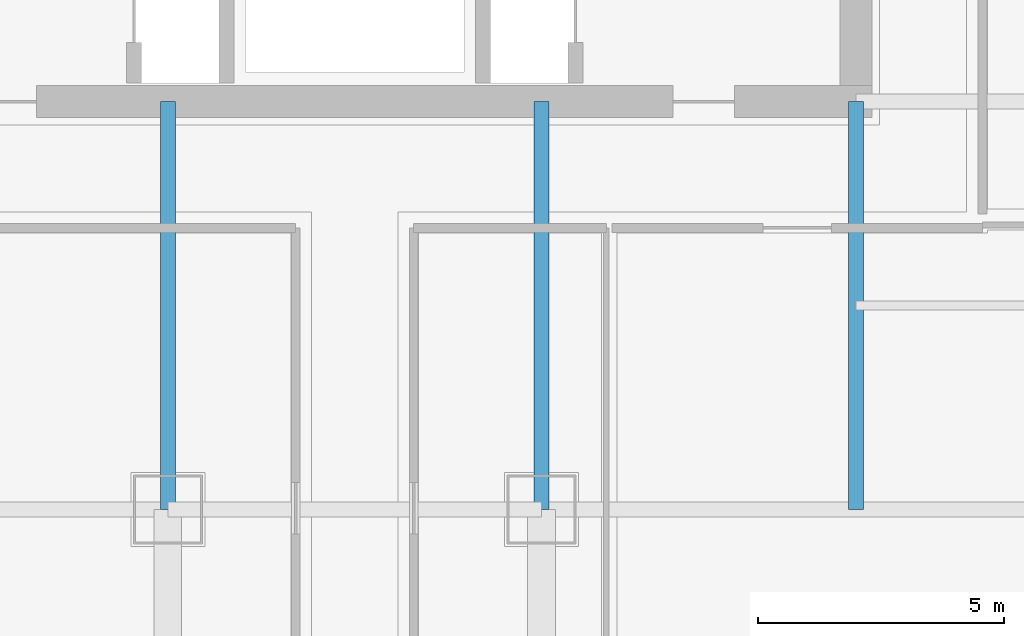
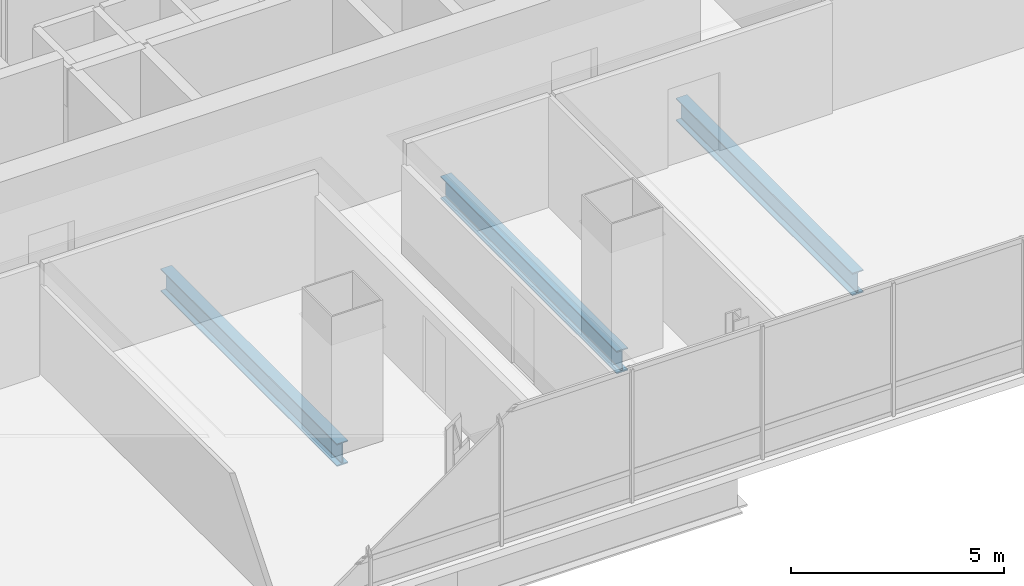
# One storey, part 8 of 36: 3 beams.
"""IFC4 building model written with IfcOpenShell, lengths in metres."""

from ifc_helpers import new_model, si_unit, direction, frame, origin, origin_2d, place, context, subcontext, project, spatial, i_section, extrude, material, material_profile, profile_set, type_object, element, save


model = new_model("IFC4")

# Units and contexts
model_context = context("Model", 3, precision=1e-05, world=origin(), true_north=direction((0.0, 1.0)))
body_context = subcontext(model_context, "Body", "Model", "MODEL_VIEW")
ifc_project = project(units=[si_unit("LENGTHUNIT", "METRE"), si_unit("AREAUNIT", "SQUARE_METRE"), si_unit("VOLUMEUNIT", "CUBIC_METRE"), si_unit("PLANEANGLEUNIT", "RADIAN"), si_unit("MASSUNIT", "GRAM", prefix="KILO")], contexts=[model_context])

# Site, building, storey
site_placement = place(None, origin())
site = spatial("IfcSite", under=ifc_project, at=site_placement, CompositionType="ELEMENT")
building_placement = place(site_placement, origin())
building = spatial("IfcBuilding", under=site, at=building_placement, Name="Punatoya Terracotta Tower", CompositionType="ELEMENT")
storey_placement = place(building_placement, frame((0.0, 0.0, 228.89990234375)))
storey = spatial("IfcBuildingStorey", under=building, at=storey_placement, Name="L54", CompositionType="ELEMENT", Elevation=228.89990234375)

# Beams
ifc_material = material(Name="Steel S355", Category="steel")
ifc_material_profile = material_profile(ifc_material, i_section(OverallWidth=0.300048828125, OverallDepth=0.64990234375, WebThickness=0.01611328125, FlangeThickness=0.031005859375, FilletRadius=0.01806640625, at=origin_2d()))
ifc_profile_set = profile_set([ifc_material_profile], Name="Steel S355")
beam_type = type_object("IfcBeamType", Name="BM-PRI-650", PredefinedType="BEAM", material=ifc_profile_set)
for number, where, z_axis, x_axis, name in (
    (1, (-3.800048828125, -17.5, -0.544921875), (0.0, 1.0, 0.0), (-1.0, 0.0, 0.0), "BM-L54-PR-S2"),
    (2, (3.800048828125, -17.5, -0.544921875), (0.0, 1.0, 0.0), (-1.0, 0.0, 0.0), "BM-L54-PR-S3"),
    (3, (10.199951171875, -17.5, -0.544921875), (0.0, 1.0, 0.0), (-1.0, 0.0, 0.0), "BM-L54-PR-S4"),
):
    element("IfcBeam", number, at=place(storey_placement, frame(where, z_axis=z_axis, x_axis=x_axis)), inside=storey, type_object=beam_type, Name=name, PredefinedType="BEAM", context=body_context, shape_type="SweptSolid", body=[
        extrude(i_section(OverallWidth=0.300048828125, OverallDepth=0.64990234375, WebThickness=0.01611328125, FlangeThickness=0.031005859375, FilletRadius=0.01806640625, at=origin_2d()), origin(), (0.0, 0.0, 1.0), 8.300048828125),
    ])

save(model, "model.ifc")
